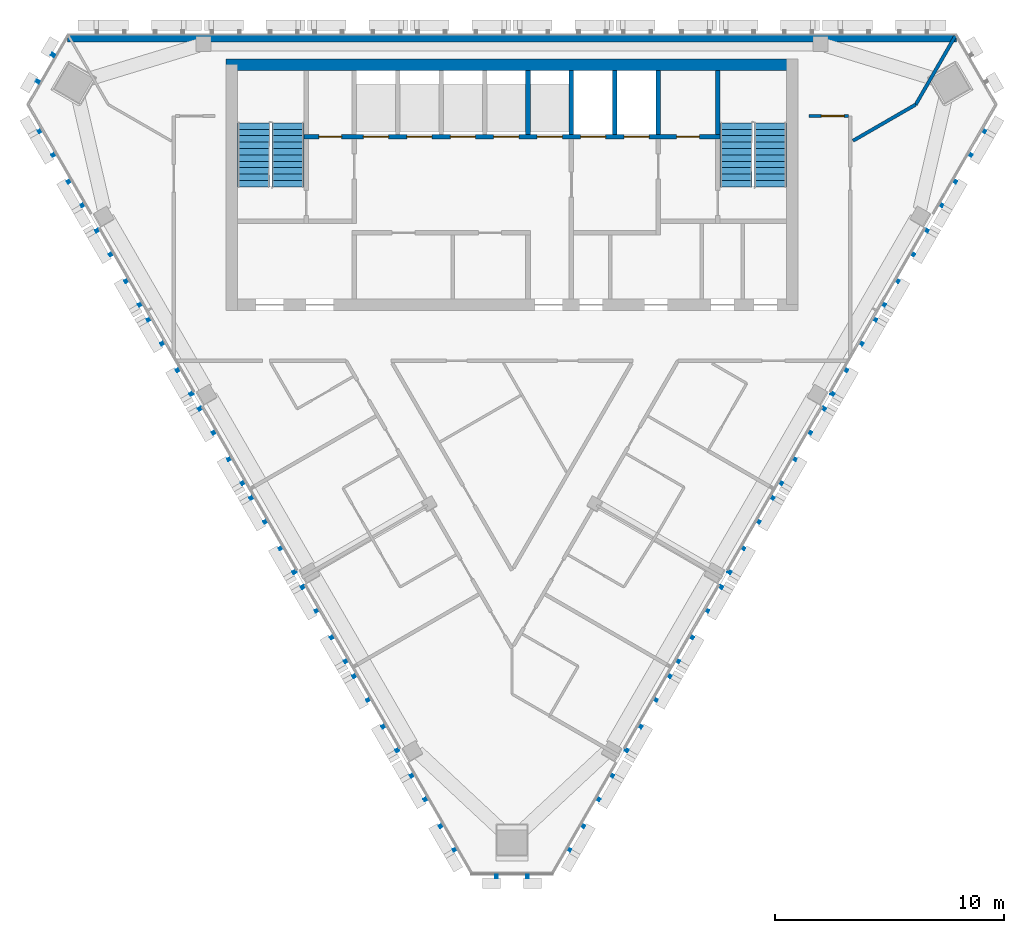
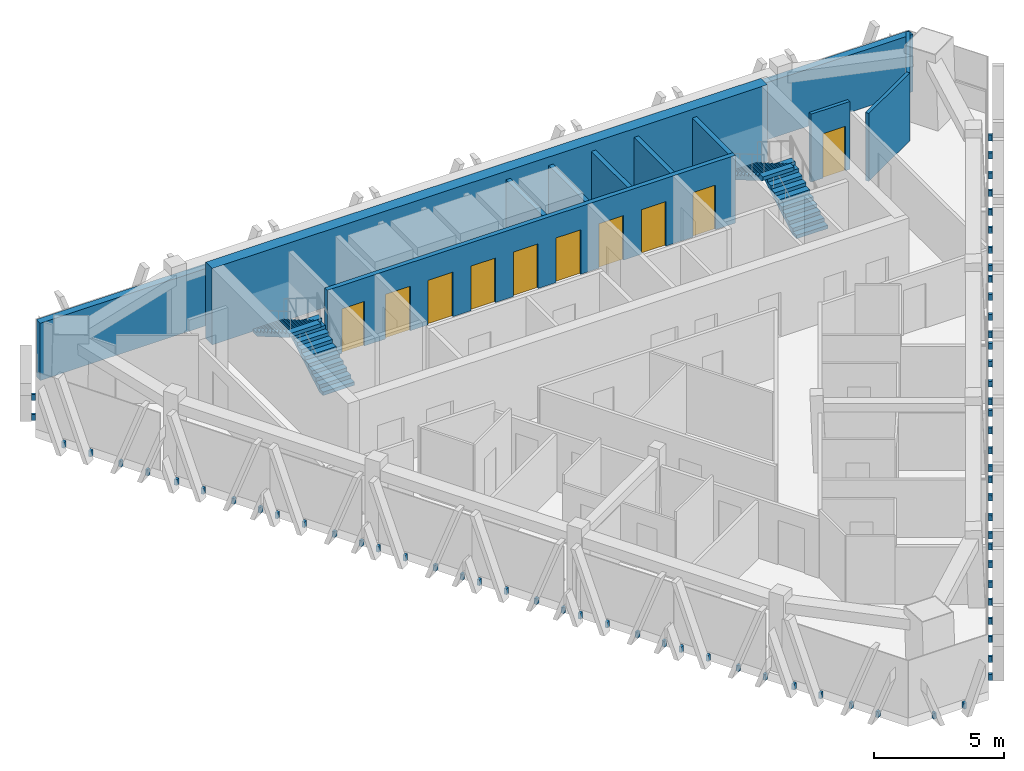
# One storey, part 8 of 11: 11 walls, 10 doors, 4 discrete accessories, 4 stair flights, 10 openings, 2 elements without a shape of their own.
"""IFC4 building model written with IfcOpenShell, lengths in metres."""

from ifc_helpers import new_model, si_unit, direction, frame, frame_2d, origin, place, context, subcontext, project, spatial, polyline, rectangle, outline, extrude, source, transform, mapped, material, layer, layer_set, type_object, element, fill, aggregate, save


model = new_model("IFC4")

# Units and contexts
model_context = context("Model", 3, precision=1e-05, world=origin(), true_north=direction((0.0, 1.0)))
body_context = subcontext(model_context, "Body", "Model", "MODEL_VIEW")
ifc_project = project(units=[si_unit("LENGTHUNIT", "METRE"), si_unit("AREAUNIT", "SQUARE_METRE"), si_unit("VOLUMEUNIT", "CUBIC_METRE"), si_unit("PLANEANGLEUNIT", "RADIAN"), si_unit("MASSUNIT", "GRAM", prefix="KILO")], contexts=[model_context])

# Site, building, storey
site_placement = place(None, origin())
site = spatial("IfcSite", under=ifc_project, at=site_placement, CompositionType="ELEMENT")
building_placement = place(site_placement, origin())
building = spatial("IfcBuilding", under=site, at=building_placement, Name="Altiplano Prism Tower", CompositionType="ELEMENT")
storey_placement = place(building_placement, frame((0.0, 0.0, 327.39990234375)))
storey = spatial("IfcBuildingStorey", under=building, at=storey_placement, Name="L85", CompositionType="ELEMENT", Elevation=327.39990234375)

# Wall
ifc_material_1 = material(Name="Concrete C60/75", Category="concrete")
ifc_layer_1 = layer(ifc_material_1, 0.5)
ifc_layer_set_1 = layer_set([ifc_layer_1], Name="Concrete C60/75")
wall_type_1 = type_object("IfcWallType", Name="Core wall 500", PredefinedType="SHEAR", material=ifc_layer_set_1)
wall_1_placement = place(storey_placement, frame((97.25, 103.64990234375, 0.0), z_axis=(0.0, 0.0, 1.0), x_axis=(-1.0, 0.0, 0.0)))
element("IfcWall", 1, at=wall_1_placement, inside=storey, type_object=wall_type_1, Name="Core wall N L85", PredefinedType="SHEAR", context=body_context, shape_type="SweptSolid", body=[
    extrude(rectangle(XDim=24.75, YDim=0.5, at=frame_2d((12.375, 0.0))), origin(), (0.0, 0.0, 1.0), 3.60009765625),
])

# Wall, opening, door
ifc_material_2 = material(Name="Plasterboard on steel stud", Category="steel")
ifc_layer_2 = layer(ifc_material_2, 0.14990234375)
ifc_layer_set_2 = layer_set([ifc_layer_2], Name="Plasterboard on steel stud")
wall_type_2 = type_object("IfcWallType", Name="Partition 150 corridor", PredefinedType="PARTITIONING", material=ifc_layer_set_2)
wall_2_placement = place(storey_placement, frame((99.7255859375, 101.40087890625, 0.0), z_axis=(0.0, 0.0, 1.0), x_axis=(-1.0, 0.0, 0.0)))
wall_2 = element("IfcWall", 2, at=wall_2_placement, inside=storey, type_object=wall_type_2, Name="Partition P06 L85 011", PredefinedType="PARTITIONING", context=body_context, shape_type="SweptSolid", body=[
    extrude(rectangle(XDim=1.7255859375, YDim=0.14990234375, at=frame_2d((0.86279296875, 0.0))), origin(), (0.0, 0.0, 1.0), 3.2001953125),
])
opening_1_placement = place(wall_2_placement, frame((0.199951171875, 0.0, 0.0)))
opening_1 = element("IfcOpeningElement", 3, at=opening_1_placement, cuts=wall_2, Name="Opening D2481", PredefinedType="OPENING", context=body_context, shape_type="SweptSolid", body=[
    extrude(rectangle(XDim=1.0, YDim=2.10009765625, at=frame_2d((0.5, 1.050048828125))), frame((0.0, 0.08544921875, 0.0), z_axis=(0.0, -1.0, 0.0), x_axis=(1.0, 0.0, 0.0)), (0.0, 0.0, 1.0), 0.1708984375),
])
ifc_material_3 = material(Name="Timber", Category="wood")
door_type_1 = type_object("IfcDoorType", Name="Room door 1000 x 2100", OperationType="NOTDEFINED", PredefinedType="NOTDEFINED", material=ifc_material_3)
door_1_placement = place(opening_1_placement, origin())
door_1 = element("IfcDoor", 4, at=door_1_placement, inside=storey, type_object=door_type_1, Name="Door D2481", OperationType="SINGLE_SWING_RIGHT", OverallHeight=2.10009765625, OverallWidth=1.0, PredefinedType="NOTDEFINED", context=body_context, shape_type="SweptSolid", body=[
    extrude(rectangle(XDim=1.0, YDim=2.10009765625, at=frame_2d((0.5, 1.050048828125))), frame((0.0, 0.02490234375, 0.0), z_axis=(0.0, -1.0, 0.0), x_axis=(1.0, 0.0, 0.0)), (0.0, 0.0, 1.0), 0.050048828125),
])
fill(opening_1, door_1)

# Walls
ifc_layer_3 = layer(ifc_material_2, 0.14990234375)
ifc_layer_set_3 = layer_set([ifc_layer_3], Name="Plasterboard on steel stud")
wall_type_3 = type_object("IfcWallType", Name="Partition 150 party", PredefinedType="PARTITIONING", material=ifc_layer_set_3)
wall_3_placement = place(storey_placement, frame((104.388671875, 104.89990234375, 0.0), z_axis=(0.0, 0.0, 1.0), x_axis=(-0.50003787499, -0.866003535544, 0.0)))
element("IfcWall", 5, at=wall_3_placement, inside=storey, type_object=wall_type_3, Name="Partition P01 L85 043", PredefinedType="PARTITIONING", context=body_context, shape_type="SweptSolid", body=[
    extrude(rectangle(XDim=3.461669921875, YDim=0.14990234375, at=frame_2d((1.73095703125, 0.0))), origin(), (0.0, 0.0, 1.0), 2.7001953125),
])
wall_4_placement = place(storey_placement, frame((102.65771484375, 101.902099609375, 0.0), z_axis=(0.0, 0.0, 1.0), x_axis=(-0.865991855495, -0.50005810284, 0.0)))
element("IfcWall", 6, at=wall_4_placement, inside=storey, type_object=wall_type_3, Name="Partition P01 L85 044", PredefinedType="PARTITIONING", context=body_context, shape_type="SweptSolid", body=[
    extrude(rectangle(XDim=3.1689453125, YDim=0.14990234375, at=frame_2d((1.58447265625, 0.0))), origin(), (0.0, 0.0, 1.0), 3.2001953125),
])
ifc_layer_4 = layer(ifc_material_1, 0.199951171875)
ifc_layer_set_4 = layer_set([ifc_layer_4], Name="Concrete C60/75")
wall_type_4 = type_object("IfcWallType", Name="Shaft wall 200", PredefinedType="SOLIDWALL", material=ifc_layer_set_4)
for number, where, z_axis, x_axis, name in (
    (7, (85.699951171875, 100.60009765625, 0.0), (0.0, 0.0, 1.0), (0.0, 1.0, 0.0), "Shaft wall L85"),
    (8, (87.60009765625, 100.60009765625, 0.0), (0.0, 0.0, 1.0), (0.0, 1.0, 0.0), "Shaft wall L85"),
    (9, (89.5, 100.60009765625, 0.0), (0.0, 0.0, 1.0), (0.0, 1.0, 0.0), "Shaft wall L85"),
    (10, (91.39990234375, 100.60009765625, 0.0), (0.0, 0.0, 1.0), (0.0, 1.0, 0.0), "Shaft wall L85"),
):
    element("IfcWall", number, at=place(storey_placement, frame(where, z_axis=z_axis, x_axis=x_axis)), inside=storey, type_object=wall_type_4, Name=name, PredefinedType="SOLIDWALL", context=body_context, shape_type="SweptSolid", body=[
        extrude(rectangle(XDim=2.7998046875, YDim=0.199951171875, at=frame_2d((1.39990234375, 0.0))), origin(), (0.0, 0.0, 1.0), 3.2001953125),
    ])

# Wall, openings, doors
ifc_layer_5 = layer(ifc_material_1, 0.199951171875)
ifc_layer_set_5 = layer_set([ifc_layer_5], Name="Concrete C60/75")
wall_type_5 = type_object("IfcWallType", Name="Stair wall 200", PredefinedType="SOLIDWALL", material=ifc_layer_set_5)
wall_5_placement = place(storey_placement, frame((75.89990234375, 100.5, 0.0), z_axis=(0.0, 0.0, 1.0), x_axis=(1.0, 0.0, 0.0)))
wall_5 = element("IfcWall", 11, at=wall_5_placement, inside=storey, type_object=wall_type_5, Name="Stair wall L85", PredefinedType="SOLIDWALL", context=body_context, shape_type="SweptSolid", body=[
    extrude(rectangle(XDim=18.2001953125, YDim=0.199951171875, at=frame_2d((9.10009765625, 0.0))), origin(), (0.0, 0.0, 1.0), 3.2001953125),
])
opening_2_placement = place(wall_5_placement, frame((2.60009765625, 0.0, 0.0)))
opening_2 = element("IfcOpeningElement", 12, at=opening_2_placement, cuts=wall_5, Name="Opening LD-HL1-L85", PredefinedType="OPENING", context=body_context, shape_type="SweptSolid", body=[
    extrude(rectangle(XDim=1.10009765625, YDim=2.10009765625, at=frame_2d((0.550048828125, 1.050048828125))), frame((0.0, 0.1103515625, 0.0), z_axis=(0.0, -1.0, 0.0), x_axis=(1.0, 0.0, 0.0)), (0.0, 0.0, 1.0), 0.220947265625),
])
opening_3_placement = place(wall_5_placement, frame((4.5, 0.0, 0.0)))
opening_3 = element("IfcOpeningElement", 13, at=opening_3_placement, cuts=wall_5, Name="Opening LD-HL2-L85", PredefinedType="OPENING", context=body_context, shape_type="SweptSolid", body=[
    extrude(rectangle(XDim=1.10009765625, YDim=2.10009765625, at=frame_2d((0.550048828125, 1.050048828125))), frame((0.0, 0.1103515625, 0.0), z_axis=(0.0, -1.0, 0.0), x_axis=(1.0, 0.0, 0.0)), (0.0, 0.0, 1.0), 0.220947265625),
])
opening_4_placement = place(wall_5_placement, frame((6.39990234375, 0.0, 0.0)))
opening_4 = element("IfcOpeningElement", 14, at=opening_4_placement, cuts=wall_5, Name="Opening LD-HL3-L85", PredefinedType="OPENING", context=body_context, shape_type="SweptSolid", body=[
    extrude(rectangle(XDim=1.10009765625, YDim=2.10009765625, at=frame_2d((0.550048828125, 1.050048828125))), frame((0.0, 0.1103515625, 0.0), z_axis=(0.0, -1.0, 0.0), x_axis=(1.0, 0.0, 0.0)), (0.0, 0.0, 1.0), 0.220947265625),
])
opening_5_placement = place(wall_5_placement, frame((8.300048828125, 0.0, 0.0)))
opening_5 = element("IfcOpeningElement", 15, at=opening_5_placement, cuts=wall_5, Name="Opening LD-HL4-L85", PredefinedType="OPENING", context=body_context, shape_type="SweptSolid", body=[
    extrude(rectangle(XDim=1.10009765625, YDim=2.10009765625, at=frame_2d((0.550048828125, 1.050048828125))), frame((0.0, 0.1103515625, 0.0), z_axis=(0.0, -1.0, 0.0), x_axis=(1.0, 0.0, 0.0)), (0.0, 0.0, 1.0), 0.220947265625),
])
opening_6_placement = place(wall_5_placement, frame((10.199951171875, 0.0, 0.0)))
opening_6 = element("IfcOpeningElement", 16, at=opening_6_placement, cuts=wall_5, Name="Opening LD-HL5-L85", PredefinedType="OPENING", context=body_context, shape_type="SweptSolid", body=[
    extrude(rectangle(XDim=1.10009765625, YDim=2.10009765625, at=frame_2d((0.550048828125, 1.050048828125))), frame((0.0, 0.1103515625, 0.0), z_axis=(0.0, -1.0, 0.0), x_axis=(1.0, 0.0, 0.0)), (0.0, 0.0, 1.0), 0.220947265625),
])
opening_7_placement = place(wall_5_placement, frame((12.10009765625, 0.0, 0.0)))
opening_7 = element("IfcOpeningElement", 17, at=opening_7_placement, cuts=wall_5, Name="Opening LD-FF1-L85", PredefinedType="OPENING", context=body_context, shape_type="SweptSolid", body=[
    extrude(rectangle(XDim=1.10009765625, YDim=2.10009765625, at=frame_2d((0.550048828125, 1.050048828125))), frame((0.0, 0.1103515625, 0.0), z_axis=(0.0, -1.0, 0.0), x_axis=(1.0, 0.0, 0.0)), (0.0, 0.0, 1.0), 0.220947265625),
])
opening_8_placement = place(wall_5_placement, frame((14.0, 0.0, 0.0)))
opening_8 = element("IfcOpeningElement", 18, at=opening_8_placement, cuts=wall_5, Name="Opening LD-FF2-L85", PredefinedType="OPENING", context=body_context, shape_type="SweptSolid", body=[
    extrude(rectangle(XDim=1.10009765625, YDim=2.10009765625, at=frame_2d((0.550048828125, 1.050048828125))), frame((0.0, 0.1103515625, 0.0), z_axis=(0.0, -1.0, 0.0), x_axis=(1.0, 0.0, 0.0)), (0.0, 0.0, 1.0), 0.220947265625),
])
opening_9_placement = place(wall_5_placement, frame((0.64990234375, 0.0, 0.0)))
opening_9 = element("IfcOpeningElement", 19, at=opening_9_placement, cuts=wall_5, Name="Opening D3792", PredefinedType="OPENING", context=body_context, shape_type="SweptSolid", body=[
    extrude(rectangle(XDim=1.0, YDim=2.10009765625, at=frame_2d((0.5, 1.050048828125))), frame((0.0, 0.1103515625, 0.0), z_axis=(0.0, -1.0, 0.0), x_axis=(1.0, 0.0, 0.0)), (0.0, 0.0, 1.0), 0.220947265625),
])
opening_10_placement = place(wall_5_placement, frame((16.300048828125, 0.0, 0.0)))
opening_10 = element("IfcOpeningElement", 20, at=opening_10_placement, cuts=wall_5, Name="Opening D3793", PredefinedType="OPENING", context=body_context, shape_type="SweptSolid", body=[
    extrude(rectangle(XDim=1.0, YDim=2.10009765625, at=frame_2d((0.5, 1.050048828125))), frame((0.0, 0.1103515625, 0.0), z_axis=(0.0, -1.0, 0.0), x_axis=(1.0, 0.0, 0.0)), (0.0, 0.0, 1.0), 0.220947265625),
])
ifc_material_4 = material(Name="Fire-rated steel door", Category="steel")
door_type_2 = type_object("IfcDoorType", Name="Core room door 1000 x 2100", OperationType="NOTDEFINED", PredefinedType="NOTDEFINED", material=ifc_material_4)
door_2_placement = place(opening_9_placement, origin())
door_2 = element("IfcDoor", 21, at=door_2_placement, inside=storey, type_object=door_type_2, Name="Core room door D3792", OperationType="SINGLE_SWING_LEFT", OverallHeight=2.10009765625, OverallWidth=1.0, PredefinedType="NOTDEFINED", context=body_context, shape_type="SweptSolid", body=[
    extrude(rectangle(XDim=1.0, YDim=2.10009765625, at=frame_2d((0.5, 1.050048828125))), frame((0.0, 0.02490234375, 0.0), z_axis=(0.0, -1.0, 0.0), x_axis=(1.0, 0.0, 0.0)), (0.0, 0.0, 1.0), 0.050048828125),
])
fill(opening_9, door_2)
door_3_placement = place(opening_10_placement, origin())
door_3 = element("IfcDoor", 22, at=door_3_placement, inside=storey, type_object=door_type_2, Name="Core room door D3793", OperationType="SINGLE_SWING_RIGHT", OverallHeight=2.10009765625, OverallWidth=1.0, PredefinedType="NOTDEFINED", context=body_context, shape_type="SweptSolid", body=[
    extrude(rectangle(XDim=1.0, YDim=2.10009765625, at=frame_2d((0.5, 1.050048828125))), frame((0.0, 0.02490234375, 0.0), z_axis=(0.0, -1.0, 0.0), x_axis=(1.0, 0.0, 0.0)), (0.0, 0.0, 1.0), 0.050048828125),
])
fill(opening_10, door_3)
ifc_material_5 = material(Name="Stainless steel landing door", Category="steel")
door_type_3 = type_object("IfcDoorType", Name="Landing door 1100 x 2100", OperationType="NOTDEFINED", PredefinedType="NOTDEFINED", material=ifc_material_5)
door_4_placement = place(opening_2_placement, origin())
door_4 = element("IfcDoor", 23, at=door_4_placement, inside=storey, type_object=door_type_3, Name="Landing doors HL1", OperationType="SLIDING_TO_RIGHT", OverallHeight=2.10009765625, OverallWidth=1.10009765625, PredefinedType="NOTDEFINED", context=body_context, shape_type="SweptSolid", body=[
    extrude(rectangle(XDim=1.10009765625, YDim=2.10009765625, at=frame_2d((0.550048828125, 1.050048828125))), frame((0.0, 0.02490234375, 0.0), z_axis=(0.0, -1.0, 0.0), x_axis=(1.0, 0.0, 0.0)), (0.0, 0.0, 1.0), 0.050048828125),
])
fill(opening_2, door_4)
door_5_placement = place(opening_3_placement, origin())
door_5 = element("IfcDoor", 24, at=door_5_placement, inside=storey, type_object=door_type_3, Name="Landing doors HL2", OperationType="SLIDING_TO_LEFT", OverallHeight=2.10009765625, OverallWidth=1.10009765625, PredefinedType="NOTDEFINED", context=body_context, shape_type="SweptSolid", body=[
    extrude(rectangle(XDim=1.10009765625, YDim=2.10009765625, at=frame_2d((0.550048828125, 1.050048828125))), frame((0.0, 0.02490234375, 0.0), z_axis=(0.0, -1.0, 0.0), x_axis=(1.0, 0.0, 0.0)), (0.0, 0.0, 1.0), 0.050048828125),
])
fill(opening_3, door_5)
door_6_placement = place(opening_4_placement, origin())
door_6 = element("IfcDoor", 25, at=door_6_placement, inside=storey, type_object=door_type_3, Name="Landing doors HL3", OperationType="SLIDING_TO_RIGHT", OverallHeight=2.10009765625, OverallWidth=1.10009765625, PredefinedType="NOTDEFINED", context=body_context, shape_type="SweptSolid", body=[
    extrude(rectangle(XDim=1.10009765625, YDim=2.10009765625, at=frame_2d((0.550048828125, 1.050048828125))), frame((0.0, 0.02490234375, 0.0), z_axis=(0.0, -1.0, 0.0), x_axis=(1.0, 0.0, 0.0)), (0.0, 0.0, 1.0), 0.050048828125),
])
fill(opening_4, door_6)
door_7_placement = place(opening_5_placement, origin())
door_7 = element("IfcDoor", 26, at=door_7_placement, inside=storey, type_object=door_type_3, Name="Landing doors HL4", OperationType="SLIDING_TO_LEFT", OverallHeight=2.10009765625, OverallWidth=1.10009765625, PredefinedType="NOTDEFINED", context=body_context, shape_type="SweptSolid", body=[
    extrude(rectangle(XDim=1.10009765625, YDim=2.10009765625, at=frame_2d((0.550048828125, 1.050048828125))), frame((0.0, 0.02490234375, 0.0), z_axis=(0.0, -1.0, 0.0), x_axis=(1.0, 0.0, 0.0)), (0.0, 0.0, 1.0), 0.050048828125),
])
fill(opening_5, door_7)
door_8_placement = place(opening_6_placement, origin())
door_8 = element("IfcDoor", 27, at=door_8_placement, inside=storey, type_object=door_type_3, Name="Landing doors HL5", OperationType="SLIDING_TO_RIGHT", OverallHeight=2.10009765625, OverallWidth=1.10009765625, PredefinedType="NOTDEFINED", context=body_context, shape_type="SweptSolid", body=[
    extrude(rectangle(XDim=1.10009765625, YDim=2.10009765625, at=frame_2d((0.550048828125, 1.050048828125))), frame((0.0, 0.02490234375, 0.0), z_axis=(0.0, -1.0, 0.0), x_axis=(1.0, 0.0, 0.0)), (0.0, 0.0, 1.0), 0.050048828125),
])
fill(opening_6, door_8)
door_9_placement = place(opening_7_placement, origin())
door_9 = element("IfcDoor", 28, at=door_9_placement, inside=storey, type_object=door_type_3, Name="Landing doors FF1", OperationType="SLIDING_TO_RIGHT", OverallHeight=2.10009765625, OverallWidth=1.10009765625, PredefinedType="NOTDEFINED", context=body_context, shape_type="SweptSolid", body=[
    extrude(rectangle(XDim=1.10009765625, YDim=2.10009765625, at=frame_2d((0.550048828125, 1.050048828125))), frame((0.0, 0.02490234375, 0.0), z_axis=(0.0, -1.0, 0.0), x_axis=(1.0, 0.0, 0.0)), (0.0, 0.0, 1.0), 0.050048828125),
])
fill(opening_7, door_9)
door_10_placement = place(opening_8_placement, origin())
door_10 = element("IfcDoor", 29, at=door_10_placement, inside=storey, type_object=door_type_3, Name="Landing doors FF2", OperationType="SLIDING_TO_LEFT", OverallHeight=2.10009765625, OverallWidth=1.10009765625, PredefinedType="NOTDEFINED", context=body_context, shape_type="SweptSolid", body=[
    extrude(rectangle(XDim=1.10009765625, YDim=2.10009765625, at=frame_2d((0.550048828125, 1.050048828125))), frame((0.0, 0.02490234375, 0.0), z_axis=(0.0, -1.0, 0.0), x_axis=(1.0, 0.0, 0.0)), (0.0, 0.0, 1.0), 0.050048828125),
])
fill(opening_8, door_10)

# Walls
wall_6_placement = place(storey_placement, frame((94.0, 100.60009765625, 0.0), z_axis=(0.0, 0.0, 1.0), x_axis=(0.0, 1.0, 0.0)))
element("IfcWall", 30, at=wall_6_placement, inside=storey, type_object=wall_type_5, Name="Stair wall L85", PredefinedType="SOLIDWALL", context=body_context, shape_type="SweptSolid", body=[
    extrude(rectangle(XDim=2.7998046875, YDim=0.199951171875, at=frame_2d((1.39990234375, 0.0))), origin(), (0.0, 0.0, 1.0), 3.2001953125),
])
ifc_material_6 = material(Name="Concrete C40", Category="concrete")
ifc_layer_6 = layer(ifc_material_6, 0.300048828125)
ifc_layer_set_6 = layer_set([ifc_layer_6], Name="Concrete C40")
wall_type_6 = type_object("IfcWallType", Name="Stone-clad external wall 300", PredefinedType="SOLIDWALL", material=ifc_layer_set_6)
wall_7_placement = place(storey_placement, frame((65.5537109375, 104.7900390625, 0.0), z_axis=(0.0, 0.0, 1.0), x_axis=(1.0, 0.0, 0.0)))
element("IfcWall", 31, at=wall_7_placement, inside=storey, type_object=wall_type_6, Name="External wall north face L85", PredefinedType="SOLIDWALL", context=body_context, shape_type="SweptSolid", body=[
    extrude(rectangle(XDim=38.892578125, YDim=0.300048828125, at=frame_2d((19.4462890625, 0.0))), origin(), (0.0, 0.0, 1.0), 2.7001953125),
])

# Stair, stair flights
ifc_material_7 = material(Name="Concrete C40/50", Category="concrete")
stair_type = type_object("IfcStairType", Name="Exit stair 1400", PredefinedType="HALF_TURN_STAIR", material=ifc_material_7)
stair_1_placement = place(storey_placement, origin())
stair_1 = element("IfcStair", 32, at=stair_1_placement, inside=storey, type_object=stair_type, Name="L85 Exit Stair 1", PredefinedType="HALF_TURN_STAIR")
stair_flight_type = type_object("IfcStairFlightType", Name="Stair flight concrete 150", PredefinedType="STRAIGHT", material=ifc_material_7)
stair_flight_1_placement = place(storey_placement, frame((75.199951171875, 98.300048828125, 0.0), z_axis=(0.0, 0.0, 1.0), x_axis=(0.0, 1.0, 0.0)))
stair_flight_1 = element("IfcStairFlight", 33, at=stair_flight_1_placement, type_object=stair_flight_type, Name="ST1 flight 1", NumberOfRisers=11, NumberOfTreads=10, PredefinedType="STRAIGHT", RiserHeight=0.163636364, TreadLength=0.28, context=body_context, shape_type="SweptSolid", body=[
    extrude(outline(polyline([(0.0, 0.0), (0.0, 0.16357421875), (0.280029296875, 0.16357421875), (0.280029296875, 0.327392578125), (0.56005859375, 0.327392578125), (0.56005859375, 0.490966796875), (0.840087890625, 0.490966796875), (0.840087890625, 0.654541015625), (1.1201171875, 0.654541015625), (1.1201171875, 0.818115234375), (1.39990234375, 0.818115234375), (1.39990234375, 0.98193359375), (1.679931640625, 0.98193359375), (1.679931640625, 1.1455078125), (1.9599609375, 1.1455078125), (1.9599609375, 1.30908203125), (2.239990234375, 1.30908203125), (2.239990234375, 1.47265625), (2.52001953125, 1.47265625), (2.52001953125, 1.636474609375), (2.800048828125, 1.636474609375), (2.800048828125, 1.800048828125), (2.800048828125, 1.462646484375), (0.297119140625, 0.0), (0.0, 0.0)])), frame((0.0, 0.699951171875, 0.0), z_axis=(0.0, -1.0, 0.0), x_axis=(1.0, 0.0, 0.0)), (0.0, 0.0, 1.0), 1.39990234375),
])
stair_flight_2_placement = place(storey_placement, frame((73.699951171875, 101.10009765625, 1.800048828125), z_axis=(0.0, 0.0, 1.0), x_axis=(0.0, -1.0, 0.0)))
stair_flight_2 = element("IfcStairFlight", 34, at=stair_flight_2_placement, type_object=stair_flight_type, Name="ST1 flight 2", NumberOfRisers=11, NumberOfTreads=10, PredefinedType="STRAIGHT", RiserHeight=0.163636364, TreadLength=0.28, context=body_context, shape_type="SweptSolid", body=[
    extrude(outline(polyline([(0.0, 0.0), (0.0, 0.16357421875), (0.280029296875, 0.16357421875), (0.280029296875, 0.327392578125), (0.56005859375, 0.327392578125), (0.56005859375, 0.490966796875), (0.840087890625, 0.490966796875), (0.840087890625, 0.654541015625), (1.1201171875, 0.654541015625), (1.1201171875, 0.818115234375), (1.39990234375, 0.818115234375), (1.39990234375, 0.98193359375), (1.679931640625, 0.98193359375), (1.679931640625, 1.1455078125), (1.9599609375, 1.1455078125), (1.9599609375, 1.30908203125), (2.239990234375, 1.30908203125), (2.239990234375, 1.47265625), (2.52001953125, 1.47265625), (2.52001953125, 1.636474609375), (2.800048828125, 1.636474609375), (2.800048828125, 1.800048828125), (2.800048828125, 1.462646484375), (0.297119140625, 0.0), (0.0, 0.0)])), frame((0.0, 0.699951171875, 0.0), z_axis=(0.0, -1.0, 0.0), x_axis=(1.0, 0.0, 0.0)), (0.0, 0.0, 1.0), 1.39990234375),
])
aggregate(stair_1, [stair_flight_1, stair_flight_2])

stair_2_placement = place(storey_placement, origin())
stair_2 = element("IfcStair", 35, at=stair_2_placement, inside=storey, type_object=stair_type, Name="L85 Exit Stair 2", PredefinedType="HALF_TURN_STAIR")
stair_flight_3_placement = place(storey_placement, frame((96.300048828125, 98.300048828125, 0.0), z_axis=(0.0, 0.0, 1.0), x_axis=(0.0, 1.0, 0.0)))
stair_flight_3 = element("IfcStairFlight", 36, at=stair_flight_3_placement, type_object=stair_flight_type, Name="ST2 flight 1", NumberOfRisers=11, NumberOfTreads=10, PredefinedType="STRAIGHT", RiserHeight=0.163636364, TreadLength=0.28, context=body_context, shape_type="SweptSolid", body=[
    extrude(outline(polyline([(0.0, 0.0), (0.0, 0.16357421875), (0.280029296875, 0.16357421875), (0.280029296875, 0.327392578125), (0.56005859375, 0.327392578125), (0.56005859375, 0.490966796875), (0.840087890625, 0.490966796875), (0.840087890625, 0.654541015625), (1.1201171875, 0.654541015625), (1.1201171875, 0.818115234375), (1.39990234375, 0.818115234375), (1.39990234375, 0.98193359375), (1.679931640625, 0.98193359375), (1.679931640625, 1.1455078125), (1.9599609375, 1.1455078125), (1.9599609375, 1.30908203125), (2.239990234375, 1.30908203125), (2.239990234375, 1.47265625), (2.52001953125, 1.47265625), (2.52001953125, 1.636474609375), (2.800048828125, 1.636474609375), (2.800048828125, 1.800048828125), (2.800048828125, 1.462646484375), (0.297119140625, 0.0), (0.0, 0.0)])), frame((0.0, 0.699951171875, 0.0), z_axis=(0.0, -1.0, 0.0), x_axis=(1.0, 0.0, 0.0)), (0.0, 0.0, 1.0), 1.39990234375),
])
stair_flight_4_placement = place(storey_placement, frame((94.800048828125, 101.10009765625, 1.800048828125), z_axis=(0.0, 0.0, 1.0), x_axis=(0.0, -1.0, 0.0)))
stair_flight_4 = element("IfcStairFlight", 37, at=stair_flight_4_placement, type_object=stair_flight_type, Name="ST2 flight 2", NumberOfRisers=11, NumberOfTreads=10, PredefinedType="STRAIGHT", RiserHeight=0.163636364, TreadLength=0.28, context=body_context, shape_type="SweptSolid", body=[
    extrude(outline(polyline([(0.0, 0.0), (0.0, 0.16357421875), (0.280029296875, 0.16357421875), (0.280029296875, 0.327392578125), (0.56005859375, 0.327392578125), (0.56005859375, 0.490966796875), (0.840087890625, 0.490966796875), (0.840087890625, 0.654541015625), (1.1201171875, 0.654541015625), (1.1201171875, 0.818115234375), (1.39990234375, 0.818115234375), (1.39990234375, 0.98193359375), (1.679931640625, 0.98193359375), (1.679931640625, 1.1455078125), (1.9599609375, 1.1455078125), (1.9599609375, 1.30908203125), (2.239990234375, 1.30908203125), (2.239990234375, 1.47265625), (2.52001953125, 1.47265625), (2.52001953125, 1.636474609375), (2.800048828125, 1.636474609375), (2.800048828125, 1.800048828125), (2.800048828125, 1.462646484375), (0.297119140625, 0.0), (0.0, 0.0)])), frame((0.0, 0.699951171875, 0.0), z_axis=(0.0, -1.0, 0.0), x_axis=(1.0, 0.0, 0.0)), (0.0, 0.0, 1.0), 1.39990234375),
])
aggregate(stair_2, [stair_flight_3, stair_flight_4])

# Discrete accessories
ifc_material_8 = material(Name="Stainless steel", Category="steel")
discrete_accessory_type = type_object("IfcDiscreteAccessoryType", Name="Stone fin fixing prongs", PredefinedType="USERDEFINED", material=ifc_material_8)
shared_shape_1 = source(origin(), body_context, "Body", "SweptSolid", [
    extrude(outline(polyline([(-1.932861328125, 0.06005859375), (-1.812744140625, 0.06005859375), (-1.812744140625, 0.340087890625), (-1.932861328125, 0.340087890625), (-1.932861328125, 0.06005859375)])), frame((0.0, 0.0, 0.0), z_axis=(0.0, -1.0, 0.0), x_axis=(1.0, 0.0, 0.0)), (0.0, 0.0, 1.0), 0.14990234375),
    extrude(outline(polyline([(-0.73291015625, 0.06005859375), (-0.61279296875, 0.06005859375), (-0.61279296875, 0.340087890625), (-0.73291015625, 0.340087890625), (-0.73291015625, 0.06005859375)])), frame((0.0, 0.0, 0.0), z_axis=(0.0, -1.0, 0.0), x_axis=(1.0, 0.0, 0.0)), (0.0, 0.0, 1.0), 0.14990234375),
    extrude(outline(polyline([(0.61279296875, 0.06005859375), (0.73291015625, 0.06005859375), (0.73291015625, 0.340087890625), (0.61279296875, 0.340087890625), (0.61279296875, 0.06005859375)])), frame((0.0, 0.0, 0.0), z_axis=(0.0, -1.0, 0.0), x_axis=(1.0, 0.0, 0.0)), (0.0, 0.0, 1.0), 0.14990234375),
    extrude(outline(polyline([(1.812744140625, 0.06005859375), (1.932861328125, 0.06005859375), (1.932861328125, 0.340087890625), (1.812744140625, 0.340087890625), (1.812744140625, 0.06005859375)])), frame((0.0, 0.0, 0.0), z_axis=(0.0, -1.0, 0.0), x_axis=(1.0, 0.0, 0.0)), (0.0, 0.0, 1.0), 0.14990234375),
])
shared_shape_2 = source(origin(), body_context, "Body", "SweptSolid", [
    extrude(outline(polyline([(-1.932861328125, 0.06005859375), (-1.812744140625, 0.06005859375), (-1.812744140625, 0.340087890625), (-1.932861328125, 0.340087890625), (-1.932861328125, 0.06005859375)])), frame((0.0, 0.0, 0.0), z_axis=(0.0, -1.0, 0.0), x_axis=(1.0, 0.0, 0.0)), (0.0, 0.0, 1.0), 0.14990234375),
    extrude(outline(polyline([(-0.73291015625, 0.06005859375), (-0.61279296875, 0.06005859375), (-0.61279296875, 0.340087890625), (-0.73291015625, 0.340087890625), (-0.73291015625, 0.06005859375)])), frame((0.0, 0.0, 0.0), z_axis=(0.0, -1.0, 0.0), x_axis=(1.0, 0.0, 0.0)), (0.0, 0.0, 1.0), 0.14990234375),
    extrude(outline(polyline([(0.61279296875, 0.06005859375), (0.73291015625, 0.06005859375), (0.73291015625, 0.340087890625), (0.61279296875, 0.340087890625), (0.61279296875, 0.06005859375)])), frame((0.0, 0.0, 0.0), z_axis=(0.0, -1.0, 0.0), x_axis=(1.0, 0.0, 0.0)), (0.0, 0.0, 1.0), 0.14990234375),
    extrude(outline(polyline([(1.812744140625, 0.06005859375), (1.932861328125, 0.06005859375), (1.932861328125, 0.340087890625), (1.812744140625, 0.340087890625), (1.812744140625, 0.06005859375)])), frame((0.0, 0.0, 0.0), z_axis=(0.0, -1.0, 0.0), x_axis=(1.0, 0.0, 0.0)), (0.0, 0.0, 1.0), 0.14990234375),
])
discrete_accessory_1_placement = place(storey_placement, origin())
element("IfcDiscreteAccessory", 38, at=discrete_accessory_1_placement, inside=storey, type_object=discrete_accessory_type, Name="Fin fixings L85 south-west face", ObjectType="BRACKET", PredefinedType="USERDEFINED", context=body_context, shape_type="MappedRepresentation", body=[
    mapped(shared_shape_1, transform((65.3515625, 99.15380859375, -0.39990234375), x_axis=(0.499999992925, -0.866025407869, 0.0), y_axis=(0.866025407869, 0.499999992925, 0.0), z_axis=(0.0, 0.0, 1.0))),
    mapped(shared_shape_2, transform((67.863037109375, 94.8037109375, -0.39990234375), x_axis=(0.499999992925, -0.866025407869, 0.0), y_axis=(0.866025407869, 0.499999992925, 0.0), z_axis=(0.0, 0.0, 1.0))),
    mapped(shared_shape_2, transform((70.113037109375, 90.906494140625, -0.39990234375), x_axis=(0.499999992925, -0.866025407869, 0.0), y_axis=(0.866025407869, 0.499999992925, 0.0), z_axis=(0.0, 0.0, 1.0))),
    mapped(shared_shape_2, transform((72.363037109375, 87.009521484375, -0.39990234375), x_axis=(0.499999992925, -0.866025407869, 0.0), y_axis=(0.866025407869, 0.499999992925, 0.0), z_axis=(0.0, 0.0, 1.0))),
    mapped(shared_shape_2, transform((74.613037109375, 83.1123046875, -0.39990234375), x_axis=(0.499999992925, -0.866025407869, 0.0), y_axis=(0.866025407869, 0.499999992925, 0.0), z_axis=(0.0, 0.0, 1.0))),
    mapped(shared_shape_2, transform((76.863037109375, 79.21533203125, -0.39990234375), x_axis=(0.499999992925, -0.866025407869, 0.0), y_axis=(0.866025407869, 0.499999992925, 0.0), z_axis=(0.0, 0.0, 1.0))),
    mapped(shared_shape_2, transform((79.113037109375, 75.318115234375, -0.39990234375), x_axis=(0.499999992925, -0.866025407869, 0.0), y_axis=(0.866025407869, 0.499999992925, 0.0), z_axis=(0.0, 0.0, 1.0))),
    mapped(shared_shape_1, transform((81.624755859375, 70.9677734375, -0.39990234375), x_axis=(0.499999992925, -0.866025407869, 0.0), y_axis=(0.866025407869, 0.499999992925, 0.0), z_axis=(0.0, 0.0, 1.0))),
])
discrete_accessory_2_placement = place(storey_placement, origin())
element("IfcDiscreteAccessory", 39, at=discrete_accessory_2_placement, inside=storey, type_object=discrete_accessory_type, Name="Fin fixings L85 south-east face", ObjectType="BRACKET", PredefinedType="USERDEFINED", context=body_context, shape_type="MappedRepresentation", body=[
    mapped(shared_shape_1, transform((88.375244140625, 70.9677734375, -0.39990234375), x_axis=(0.499999992925, 0.866025407869, 0.0), y_axis=(-0.866025407869, 0.499999992925, 0.0), z_axis=(0.0, 0.0, 1.0))),
    mapped(shared_shape_2, transform((90.886962890625, 75.318115234375, -0.39990234375), x_axis=(0.499999992925, 0.866025407869, 0.0), y_axis=(-0.866025407869, 0.499999992925, 0.0), z_axis=(0.0, 0.0, 1.0))),
    mapped(shared_shape_2, transform((93.136962890625, 79.21533203125, -0.39990234375), x_axis=(0.499999992925, 0.866025407869, 0.0), y_axis=(-0.866025407869, 0.499999992925, 0.0), z_axis=(0.0, 0.0, 1.0))),
    mapped(shared_shape_2, transform((95.386962890625, 83.1123046875, -0.39990234375), x_axis=(0.499999992925, 0.866025407869, 0.0), y_axis=(-0.866025407869, 0.499999992925, 0.0), z_axis=(0.0, 0.0, 1.0))),
    mapped(shared_shape_2, transform((97.636962890625, 87.009521484375, -0.39990234375), x_axis=(0.499999992925, 0.866025407869, 0.0), y_axis=(-0.866025407869, 0.499999992925, 0.0), z_axis=(0.0, 0.0, 1.0))),
    mapped(shared_shape_2, transform((99.886962890625, 90.906494140625, -0.39990234375), x_axis=(0.499999992925, 0.866025407869, 0.0), y_axis=(-0.866025407869, 0.499999992925, 0.0), z_axis=(0.0, 0.0, 1.0))),
    mapped(shared_shape_2, transform((102.136962890625, 94.8037109375, -0.39990234375), x_axis=(0.499999992925, 0.866025407869, 0.0), y_axis=(-0.866025407869, 0.499999992925, 0.0), z_axis=(0.0, 0.0, 1.0))),
    mapped(shared_shape_1, transform((104.6484375, 99.15380859375, -0.39990234375), x_axis=(0.499999992925, 0.866025407869, 0.0), y_axis=(-0.866025407869, 0.499999992925, 0.0), z_axis=(0.0, 0.0, 1.0))),
])
shared_shape_3 = source(origin(), body_context, "Body", "SweptSolid", [
    extrude(outline(polyline([(-0.73291015625, 0.06005859375), (-0.61279296875, 0.06005859375), (-0.61279296875, 0.340087890625), (-0.73291015625, 0.340087890625), (-0.73291015625, 0.06005859375)])), frame((0.0, 0.0, 0.0), z_axis=(0.0, -1.0, 0.0), x_axis=(1.0, 0.0, 0.0)), (0.0, 0.0, 1.0), 0.14990234375),
    extrude(outline(polyline([(0.61279296875, 0.06005859375), (0.73291015625, 0.06005859375), (0.73291015625, 0.340087890625), (0.61279296875, 0.340087890625), (0.61279296875, 0.06005859375)])), frame((0.0, 0.0, 0.0), z_axis=(0.0, -1.0, 0.0), x_axis=(1.0, 0.0, 0.0)), (0.0, 0.0, 1.0), 0.14990234375),
])
discrete_accessory_3_placement = place(storey_placement, origin())
element("IfcDiscreteAccessory", 40, at=discrete_accessory_3_placement, inside=storey, type_object=discrete_accessory_type, Name="Fin fixings L85 north-west chamfer", ObjectType="BRACKET", PredefinedType="USERDEFINED", context=body_context, shape_type="MappedRepresentation", body=[
    mapped(shared_shape_3, transform((64.6591796875, 103.450927734375, -0.39990234375), x_axis=(-0.499999987126, -0.866025411217, 0.0), y_axis=(0.866025411217, -0.499999987126, 0.0), z_axis=(0.0, 0.0, 1.0))),
])
discrete_accessory_4_placement = place(storey_placement, origin())
element("IfcDiscreteAccessory", 41, at=discrete_accessory_4_placement, inside=storey, type_object=discrete_accessory_type, Name="Fin fixings L85 south chamfer", ObjectType="BRACKET", PredefinedType="USERDEFINED", context=body_context, shape_type="MappedRepresentation", body=[
    mapped(shared_shape_3, transform((85.0, 68.2197265625, -0.39990234375), x_axis=(1.0, 0.0, 0.0), y_axis=(0.0, 1.0, 0.0), z_axis=(0.0, 0.0, 1.0))),
])

save(model, "model.ifc")
